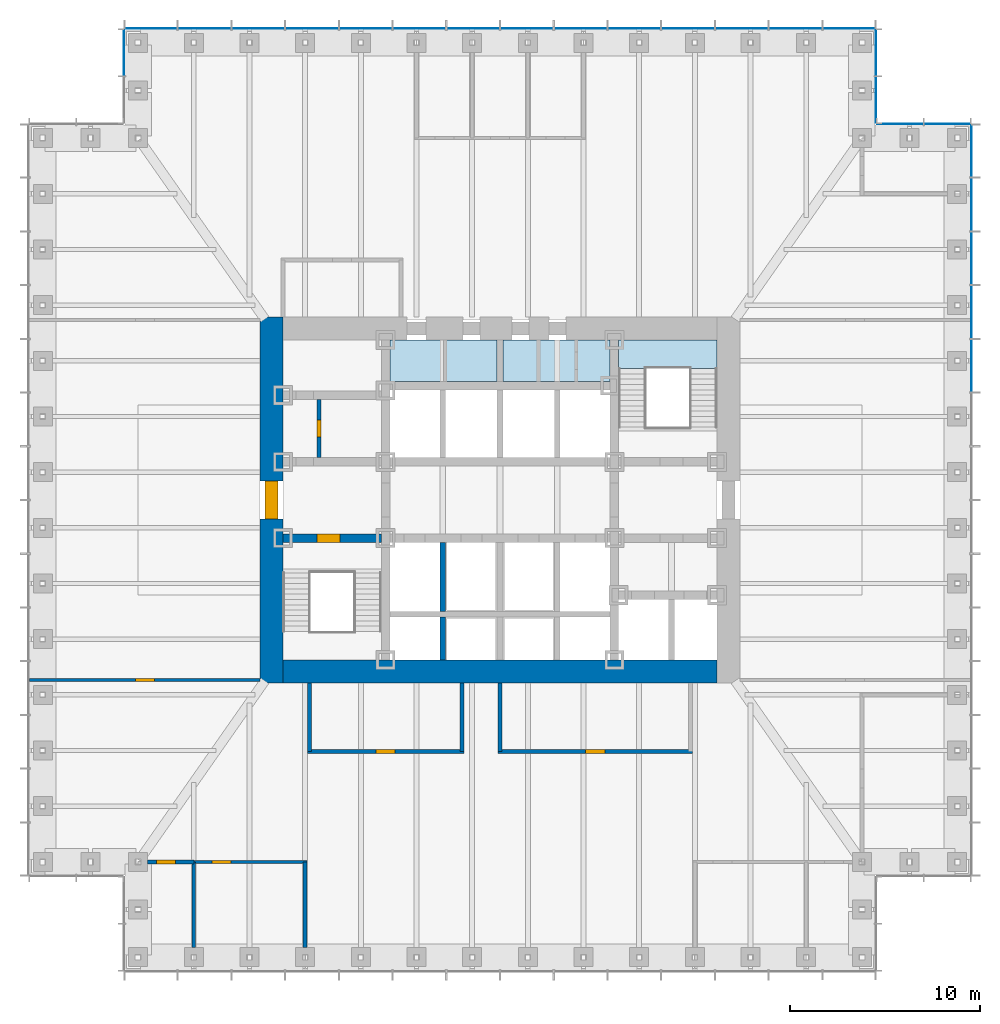
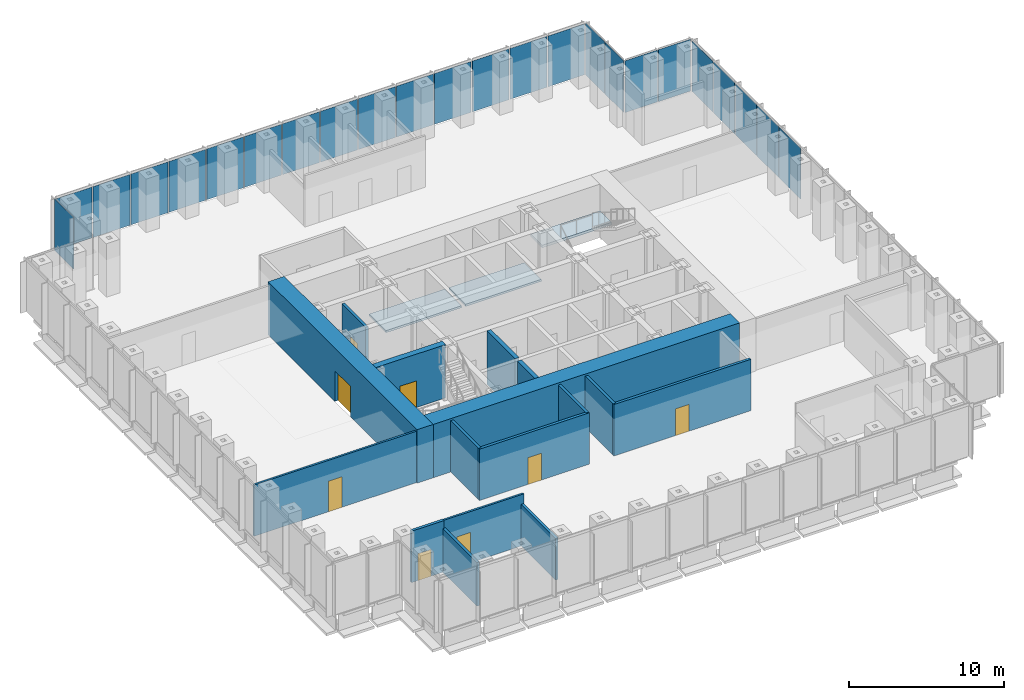
# One storey, part 8 of 16: 24 plates, 16 walls, 8 doors, 3 slabs, 8 openings, 6 elements without a shape of their own.
"""IFC4 building model written with IfcOpenShell, lengths in metres."""

import ifcopenshell
import ifcopenshell.guid

model = None  # the IFC model being written
_history = None  # IfcOwnerHistory: only IFC2X3 demands one
_inside = {}  # id of a spatial element -> (the spatial element, [elements in it])
_under = {}  # id of a project, library or spatial element -> (it, [spatial elements below it])
_declared = {}  # id of a project -> (the project, [libraries it declares])
_typed = {}  # id of a type object -> (the type object, [elements of that type])
_made_of = {}  # id of a material, layer set ... -> (it, [elements and type objects made of it])


def new_model(schema):
    """Start an empty IFC model of exactly this schema.

    Asked for "IFC4X3", IfcOpenShell would pick the latest addendum, in which some entities
    have other attributes; the version numbers below select the first issue.
    IFC2X3 requires an IfcOwnerHistory on every rooted entity: one is made here for all.
    """
    global model, _history
    if schema == "IFC4X3":
        model = ifcopenshell.file(schema_version=(4, 3, 0, 0))
    else:
        model = ifcopenshell.file(schema=schema)
    _inside.clear()
    _under.clear()
    _declared.clear()
    _typed.clear()
    _made_of.clear()
    _history = None
    if model.schema == "IFC2X3":
        org = make("IfcOrganization", Name="unknown")
        user = make(
            "IfcPersonAndOrganization",
            ThePerson=make("IfcPerson", FamilyName="unknown"),
            TheOrganization=org,
        )
        app = make(
            "IfcApplication",
            ApplicationDeveloper=org,
            Version="unknown",
            ApplicationFullName="unknown",
            ApplicationIdentifier="unknown",
        )
        _history = make(
            "IfcOwnerHistory",
            OwningUser=user,
            OwningApplication=app,
            ChangeAction="ADDED",
            CreationDate=0,
        )
    return model


def make(cls, **values):
    """One entity of the class cls with the attributes given. An attribute that is None is left unset."""
    return model.create_entity(
        cls, **{name: value for name, value in values.items() if value is not None}
    )


def rooted(cls, **values):
    """An entity with a GlobalId (a new one), such as an element, a storey or a relation."""
    return make(cls, GlobalId=ifcopenshell.guid.new(), OwnerHistory=_history, **values)


def si_unit(unit_type, name, prefix=None):
    """IfcSIUnit, for example si_unit("LENGTHUNIT", "METRE", prefix="MILLI")."""
    return make("IfcSIUnit", UnitType=unit_type, Prefix=prefix, Name=name)


def assignment(units):
    """IfcUnitAssignment: the units of a project."""
    return None if units is None else make("IfcUnitAssignment", Units=units)


def point(xyz):
    """IfcCartesianPoint."""
    return None if xyz is None else make("IfcCartesianPoint", Coordinates=xyz)


def direction(xyz):
    """IfcDirection."""
    return None if xyz is None else make("IfcDirection", DirectionRatios=xyz)


def frame(location, z_axis=None, x_axis=None):
    """IfcAxis2Placement3D, a coordinate frame: its origin and axes. An axis left out is left unset."""
    return make(
        "IfcAxis2Placement3D",
        Location=point(location),
        Axis=direction(z_axis),
        RefDirection=direction(x_axis),
    )


def frame_2d(location, x_axis=None):
    """IfcAxis2Placement2D, a coordinate frame in the plane: its origin and x axis."""
    return make(
        "IfcAxis2Placement2D", Location=point(location), RefDirection=direction(x_axis)
    )


def origin():
    """The frame at (0, 0, 0) with its axes left unset."""
    return frame((0.0, 0.0, 0.0))


def origin_2d():
    """The frame at (0, 0) in the plane with its x axis left unset."""
    return frame_2d((0.0, 0.0))


def place(relative_to, where):
    """IfcLocalPlacement: puts the frame where relative to a parent placement (None: the world)."""
    return make(
        "IfcLocalPlacement", PlacementRelTo=relative_to, RelativePlacement=where
    )


def context(
    kind, dimensions, precision=None, world=None, true_north=None, identifier=None
):
    """IfcGeometricRepresentationContext, for example the 3D "Model" context."""
    return make(
        "IfcGeometricRepresentationContext",
        ContextIdentifier=identifier,
        ContextType=kind,
        CoordinateSpaceDimension=dimensions,
        Precision=precision,
        WorldCoordinateSystem=world,
        TrueNorth=true_north,
    )


def subcontext(parent, identifier, kind, view, scale=None):
    """IfcGeometricRepresentationSubContext, for example "Body" below "Model"."""
    return make(
        "IfcGeometricRepresentationSubContext",
        ContextIdentifier=identifier,
        ContextType=kind,
        ParentContext=parent,
        TargetScale=scale,
        TargetView=view,
    )


def project(units=None, contexts=None):
    """IfcProject with its units and contexts."""
    return rooted(
        "IfcProject",
        Name="project",
        RepresentationContexts=contexts,
        UnitsInContext=assignment(units),
    )


def spatial(cls, under=None, at=None, **own):
    """A site, building, storey or space (cls), placed at a placement, below another one or the project."""
    s = rooted(cls, ObjectPlacement=at, **own)
    if under is not None:
        _under.setdefault(under.id(), (under, []))[1].append(s)
    return s


def polyline(points):
    """IfcPolyline through the points."""
    return make("IfcPolyline", Points=[point(p) for p in points])


def profile(cls, at=None, kind="AREA", **sizes):
    """A parametric profile (cls). Its sizes go by their IFC names, for example OverallWidth=200.0."""
    return make(cls, ProfileType=kind, Position=at, **sizes)


def rectangle(**sizes):
    """IfcRectangleProfileDef."""
    return profile("IfcRectangleProfileDef", **sizes)


def outline(outer, holes=None, kind="AREA"):
    """IfcArbitraryClosedProfileDef: a profile drawn as a closed curve; with holes, ...WithVoids."""
    if holes is None:
        return make("IfcArbitraryClosedProfileDef", ProfileType=kind, OuterCurve=outer)
    return make(
        "IfcArbitraryProfileDefWithVoids",
        ProfileType=kind,
        OuterCurve=outer,
        InnerCurves=holes,
    )


def extrude(swept, where, along, depth):
    """IfcExtrudedAreaSolid: the profile swept, set in the frame where, extruded along a direction by depth."""
    return make(
        "IfcExtrudedAreaSolid",
        SweptArea=swept,
        Position=where,
        ExtrudedDirection=direction(along),
        Depth=depth,
    )


def shape(context_of_items, identifier, shape_type, items):
    """IfcShapeRepresentation: the items that make up one representation, for example the "Body"."""
    return make(
        "IfcShapeRepresentation",
        ContextOfItems=context_of_items,
        RepresentationIdentifier=identifier,
        RepresentationType=shape_type,
        Items=items,
    )


def material(Name=None, Category=None):
    """IfcMaterial."""
    return make("IfcMaterial", Name=Name, Category=Category)


def layer(
    of_material, thickness, ventilated=None, Name=None, Category=None, Priority=None
):
    """IfcMaterialLayer: one layer of a wall or slab, of a material (None: an air gap)."""
    return make(
        "IfcMaterialLayer",
        Material=of_material,
        LayerThickness=thickness,
        IsVentilated=ventilated,
        Name=Name,
        Category=Category,
        Priority=Priority,
    )


def layer_set(layers, Name=None):
    """IfcMaterialLayerSet."""
    return make("IfcMaterialLayerSet", MaterialLayers=layers, LayerSetName=Name)


def made_of(thing, what):
    """Note that an element or type object is made of a material, layer set ...; save() writes the relation."""
    if what is not None:
        _made_of.setdefault(what.id(), (what, []))[1].append(thing)
    return thing


def type_object(cls, material=None, **own):
    """A type object (cls), such as IfcWallType, which elements share."""
    return made_of(rooted(cls, **own), material)


def element(
    cls,
    number,
    at=None,
    inside=None,
    cuts=None,
    type_object=None,
    material=None,
    context=None,
    identifier="Body",
    shape_type=None,
    held_by="IfcProductDefinitionShape",
    body=None,
    shapes=None,
    **own,
):
    """One element of the class cls, such as IfcWall. Its Tag is "e" and its number.

    at: its placement. inside: the storey or other place that contains it. cuts: it is an
    opening in that element (IfcRelVoidsElement). A single representation is given by context,
    identifier, shape_type and body (its items); several are given by shapes. held_by: the class
    of the entity that holds the representations. save() writes the other relations.
    """
    e = rooted(cls, Tag="e%d" % number, ObjectPlacement=at, **own)
    if body is not None:
        shapes = [shape(context, identifier, shape_type, body)]
    if shapes is not None:
        e.Representation = make(held_by, Representations=shapes)
    if inside is not None:
        _inside.setdefault(inside.id(), (inside, []))[1].append(e)
    if cuts is not None:
        rooted(
            "IfcRelVoidsElement", RelatingBuildingElement=cuts, RelatedOpeningElement=e
        )
    if type_object is not None:
        _typed.setdefault(type_object.id(), (type_object, []))[1].append(e)
    return made_of(e, material)


def fill(opening, filler):
    """IfcRelFillsElement: the door or window that sits in an opening."""
    return rooted(
        "IfcRelFillsElement",
        RelatingOpeningElement=opening,
        RelatedBuildingElement=filler,
    )


def aggregate(whole, parts):
    """IfcRelAggregates: a whole, such as a stair, and the parts it consists of."""
    return rooted("IfcRelAggregates", RelatingObject=whole, RelatedObjects=parts)


def save(model, path):
    """Write the relations noted so far, then the file.

    IfcRelAggregates (storeys below a building ...), IfcRelContainedInSpatialStructure (elements
    in a storey), IfcRelDefinesByType, IfcRelAssociatesMaterial and IfcRelDeclares: one each for
    every whole, place, type object, material and project.
    """
    for whole, parts in _under.values():
        aggregate(whole, parts)
    for where, things in _inside.values():
        rooted(
            "IfcRelContainedInSpatialStructure",
            RelatedElements=things,
            RelatingStructure=where,
        )
    for kind, things in _typed.values():
        rooted("IfcRelDefinesByType", RelatedObjects=things, RelatingType=kind)
    for what, things in _made_of.values():
        rooted("IfcRelAssociatesMaterial", RelatedObjects=things, RelatingMaterial=what)
    for by, libraries in _declared.values():
        rooted("IfcRelDeclares", RelatingContext=by, RelatedDefinitions=libraries)
    model.write(path)


model = new_model("IFC4")

# Units and contexts
model_context = context("Model", 3, precision=1e-05, world=origin(), true_north=direction((0.0, 1.0)))
body_context = subcontext(model_context, "Body", "Model", "MODEL_VIEW")
ifc_project = project(units=[si_unit("LENGTHUNIT", "METRE"), si_unit("AREAUNIT", "SQUARE_METRE"), si_unit("VOLUMEUNIT", "CUBIC_METRE"), si_unit("PLANEANGLEUNIT", "RADIAN"), si_unit("MASSUNIT", "GRAM", prefix="KILO")], contexts=[model_context])

# Site, building, storey
site_placement = place(None, origin())
site = spatial("IfcSite", under=ifc_project, at=site_placement, CompositionType="ELEMENT")
building_placement = place(site_placement, origin())
building = spatial("IfcBuilding", under=site, at=building_placement, Name="Daluyong Arena Tower", CompositionType="ELEMENT")
storey_placement = place(building_placement, frame((0.0, 0.0, 39.10009765625)))
storey = spatial("IfcBuildingStorey", under=building, at=storey_placement, Name="L07", CompositionType="ELEMENT", Elevation=39.10009765625)

# Curtain wall, plates
ifc_material_1 = material(Name="Bronze anodised aluminium and glass", Category="aluminium")
curtain_wall_type_1 = type_object("IfcCurtainWallType", Name="Curtain wall CW1", PredefinedType="USERDEFINED", material=ifc_material_1)
curtain_wall_1_placement = place(storey_placement, origin())
curtain_wall_1 = element("IfcCurtainWall", 1, at=curtain_wall_1_placement, inside=storey, type_object=curtain_wall_type_1, Name="curtain wall L07 E", ObjectType="UNITISED CURTAIN WALL", PredefinedType="USERDEFINED")
ifc_material_2 = material(Name="Tinted double glazed unit", Category="glass")
ifc_layer_1 = layer(ifc_material_2, 0.031982421875)
ifc_layer_set_1 = layer_set([ifc_layer_1], Name="Tinted double glazed unit")
plate_type_1 = type_object("IfcPlateType", Name="CW1 panel 32", PredefinedType="CURTAIN_PANEL", material=ifc_layer_set_1)
plate_1_placement = place(storey_placement, frame((80.75, 87.053466796875, 0.0), z_axis=(0.0, 0.0, 1.0), x_axis=(0.0, 1.0, 0.0)))
plate_1 = element("IfcPlate", 2, at=plate_1_placement, type_object=plate_type_1, Name="curtain wall L07 E panel 10", PredefinedType="CURTAIN_PANEL", context=body_context, shape_type="SweptSolid", body=[
    extrude(rectangle(XDim=2.741455078125, YDim=0.031982421875, at=origin_2d()), origin(), (0.0, 0.0, 1.0), 4.0),
])
plate_2_placement = place(storey_placement, frame((80.75, 89.875, 0.0), z_axis=(0.0, 0.0, 1.0), x_axis=(0.0, 1.0, 0.0)))
plate_2 = element("IfcPlate", 3, at=plate_2_placement, type_object=plate_type_1, Name="curtain wall L07 E panel 11", PredefinedType="CURTAIN_PANEL", context=body_context, shape_type="SweptSolid", body=[
    extrude(rectangle(XDim=2.741455078125, YDim=0.031982421875, at=origin_2d()), origin(), (0.0, 0.0, 1.0), 4.0),
])
plate_3_placement = place(storey_placement, frame((80.75, 92.696533203125, 0.0), z_axis=(0.0, 0.0, 1.0), x_axis=(0.0, 1.0, 0.0)))
plate_3 = element("IfcPlate", 4, at=plate_3_placement, type_object=plate_type_1, Name="curtain wall L07 E panel 12", PredefinedType="CURTAIN_PANEL", context=body_context, shape_type="SweptSolid", body=[
    extrude(rectangle(XDim=2.741455078125, YDim=0.031982421875, at=origin_2d()), origin(), (0.0, 0.0, 1.0), 4.0),
])
plate_4_placement = place(storey_placement, frame((80.75, 95.517822265625, 0.0), z_axis=(0.0, 0.0, 1.0), x_axis=(0.0, 1.0, 0.0)))
plate_4 = element("IfcPlate", 5, at=plate_4_placement, type_object=plate_type_1, Name="curtain wall L07 E panel 13", PredefinedType="CURTAIN_PANEL", context=body_context, shape_type="SweptSolid", body=[
    extrude(rectangle(XDim=2.741455078125, YDim=0.031982421875, at=origin_2d()), origin(), (0.0, 0.0, 1.0), 4.0),
])
plate_5_placement = place(storey_placement, frame((80.75, 98.3193359375, 0.0), z_axis=(0.0, 0.0, 1.0), x_axis=(0.0, 1.0, 0.0)))
plate_5 = element("IfcPlate", 6, at=plate_5_placement, type_object=plate_type_1, Name="curtain wall L07 E panel 14", PredefinedType="CURTAIN_PANEL", context=body_context, shape_type="SweptSolid", body=[
    extrude(rectangle(XDim=2.701416015625, YDim=0.031982421875, at=origin_2d()), origin(), (0.0, 0.0, 1.0), 4.0),
])
aggregate(curtain_wall_1, [plate_1, plate_2, plate_3, plate_4, plate_5])

curtain_wall_2_placement = place(storey_placement, origin())
curtain_wall_2 = element("IfcCurtainWall", 7, at=curtain_wall_2_placement, inside=storey, type_object=curtain_wall_type_1, Name="curtain wall L07 N", ObjectType="UNITISED CURTAIN WALL", PredefinedType="USERDEFINED")
plate_6_placement = place(storey_placement, frame((74.3193359375, 104.75, 0.0), z_axis=(0.0, 0.0, 1.0), x_axis=(-1.0, 0.0, 0.0)))
plate_6 = element("IfcPlate", 8, at=plate_6_placement, type_object=plate_type_1, Name="curtain wall L07 N panel 1", PredefinedType="CURTAIN_PANEL", context=body_context, shape_type="SweptSolid", body=[
    extrude(rectangle(XDim=2.701416015625, YDim=0.031982421875, at=origin_2d()), origin(), (0.0, 0.0, 1.0), 4.0),
])
plate_7_placement = place(storey_placement, frame((71.517822265625, 104.75, 0.0), z_axis=(0.0, 0.0, 1.0), x_axis=(-1.0, 0.0, 0.0)))
plate_7 = element("IfcPlate", 9, at=plate_7_placement, type_object=plate_type_1, Name="curtain wall L07 N panel 2", PredefinedType="CURTAIN_PANEL", context=body_context, shape_type="SweptSolid", body=[
    extrude(rectangle(XDim=2.741455078125, YDim=0.031982421875, at=origin_2d()), origin(), (0.0, 0.0, 1.0), 4.0),
])
plate_8_placement = place(storey_placement, frame((68.696533203125, 104.75, 0.0), z_axis=(0.0, 0.0, 1.0), x_axis=(-1.0, 0.0, 0.0)))
plate_8 = element("IfcPlate", 10, at=plate_8_placement, type_object=plate_type_1, Name="curtain wall L07 N panel 3", PredefinedType="CURTAIN_PANEL", context=body_context, shape_type="SweptSolid", body=[
    extrude(rectangle(XDim=2.741455078125, YDim=0.031982421875, at=origin_2d()), origin(), (0.0, 0.0, 1.0), 4.0),
])
plate_9_placement = place(storey_placement, frame((65.875, 104.75, 0.0), z_axis=(0.0, 0.0, 1.0), x_axis=(-1.0, 0.0, 0.0)))
plate_9 = element("IfcPlate", 11, at=plate_9_placement, type_object=plate_type_1, Name="curtain wall L07 N panel 4", PredefinedType="CURTAIN_PANEL", context=body_context, shape_type="SweptSolid", body=[
    extrude(rectangle(XDim=2.741455078125, YDim=0.031982421875, at=origin_2d()), origin(), (0.0, 0.0, 1.0), 4.0),
])
plate_10_placement = place(storey_placement, frame((63.053466796875, 104.75, 0.0), z_axis=(0.0, 0.0, 1.0), x_axis=(-1.0, 0.0, 0.0)))
plate_10 = element("IfcPlate", 12, at=plate_10_placement, type_object=plate_type_1, Name="curtain wall L07 N panel 5", PredefinedType="CURTAIN_PANEL", context=body_context, shape_type="SweptSolid", body=[
    extrude(rectangle(XDim=2.741455078125, YDim=0.031982421875, at=origin_2d()), origin(), (0.0, 0.0, 1.0), 4.0),
])
plate_11_placement = place(storey_placement, frame((60.232177734375, 104.75, 0.0), z_axis=(0.0, 0.0, 1.0), x_axis=(-1.0, 0.0, 0.0)))
plate_11 = element("IfcPlate", 13, at=plate_11_placement, type_object=plate_type_1, Name="curtain wall L07 N panel 6", PredefinedType="CURTAIN_PANEL", context=body_context, shape_type="SweptSolid", body=[
    extrude(rectangle(XDim=2.741455078125, YDim=0.031982421875, at=origin_2d()), origin(), (0.0, 0.0, 1.0), 4.0),
])
plate_12_placement = place(storey_placement, frame((57.41064453125, 104.75, 0.0), z_axis=(0.0, 0.0, 1.0), x_axis=(-1.0, 0.0, 0.0)))
plate_12 = element("IfcPlate", 14, at=plate_12_placement, type_object=plate_type_1, Name="curtain wall L07 N panel 7", PredefinedType="CURTAIN_PANEL", context=body_context, shape_type="SweptSolid", body=[
    extrude(rectangle(XDim=2.741455078125, YDim=0.031982421875, at=origin_2d()), origin(), (0.0, 0.0, 1.0), 4.0),
])
plate_13_placement = place(storey_placement, frame((54.58935546875, 104.75, 0.0), z_axis=(0.0, 0.0, 1.0), x_axis=(-1.0, 0.0, 0.0)))
plate_13 = element("IfcPlate", 15, at=plate_13_placement, type_object=plate_type_1, Name="curtain wall L07 N panel 8", PredefinedType="CURTAIN_PANEL", context=body_context, shape_type="SweptSolid", body=[
    extrude(rectangle(XDim=2.741455078125, YDim=0.031982421875, at=origin_2d()), origin(), (0.0, 0.0, 1.0), 4.0),
])
plate_14_placement = place(storey_placement, frame((51.767822265625, 104.75, 0.0), z_axis=(0.0, 0.0, 1.0), x_axis=(-1.0, 0.0, 0.0)))
plate_14 = element("IfcPlate", 16, at=plate_14_placement, type_object=plate_type_1, Name="curtain wall L07 N panel 9", PredefinedType="CURTAIN_PANEL", context=body_context, shape_type="SweptSolid", body=[
    extrude(rectangle(XDim=2.741455078125, YDim=0.031982421875, at=origin_2d()), origin(), (0.0, 0.0, 1.0), 4.0),
])
plate_15_placement = place(storey_placement, frame((48.946533203125, 104.75, 0.0), z_axis=(0.0, 0.0, 1.0), x_axis=(-1.0, 0.0, 0.0)))
plate_15 = element("IfcPlate", 17, at=plate_15_placement, type_object=plate_type_1, Name="curtain wall L07 N panel 10", PredefinedType="CURTAIN_PANEL", context=body_context, shape_type="SweptSolid", body=[
    extrude(rectangle(XDim=2.741455078125, YDim=0.031982421875, at=origin_2d()), origin(), (0.0, 0.0, 1.0), 4.0),
])
plate_16_placement = place(storey_placement, frame((46.125, 104.75, 0.0), z_axis=(0.0, 0.0, 1.0), x_axis=(-1.0, 0.0, 0.0)))
plate_16 = element("IfcPlate", 18, at=plate_16_placement, type_object=plate_type_1, Name="curtain wall L07 N panel 11", PredefinedType="CURTAIN_PANEL", context=body_context, shape_type="SweptSolid", body=[
    extrude(rectangle(XDim=2.741455078125, YDim=0.031982421875, at=origin_2d()), origin(), (0.0, 0.0, 1.0), 4.0),
])
plate_17_placement = place(storey_placement, frame((43.303466796875, 104.75, 0.0), z_axis=(0.0, 0.0, 1.0), x_axis=(-1.0, 0.0, 0.0)))
plate_17 = element("IfcPlate", 19, at=plate_17_placement, type_object=plate_type_1, Name="curtain wall L07 N panel 12", PredefinedType="CURTAIN_PANEL", context=body_context, shape_type="SweptSolid", body=[
    extrude(rectangle(XDim=2.741455078125, YDim=0.031982421875, at=origin_2d()), origin(), (0.0, 0.0, 1.0), 4.0),
])
plate_18_placement = place(storey_placement, frame((40.482177734375, 104.75, 0.0), z_axis=(0.0, 0.0, 1.0), x_axis=(-1.0, 0.0, 0.0)))
plate_18 = element("IfcPlate", 20, at=plate_18_placement, type_object=plate_type_1, Name="curtain wall L07 N panel 13", PredefinedType="CURTAIN_PANEL", context=body_context, shape_type="SweptSolid", body=[
    extrude(rectangle(XDim=2.741455078125, YDim=0.031982421875, at=origin_2d()), origin(), (0.0, 0.0, 1.0), 4.0),
])
plate_19_placement = place(storey_placement, frame((37.6806640625, 104.75, 0.0), z_axis=(0.0, 0.0, 1.0), x_axis=(-1.0, 0.0, 0.0)))
plate_19 = element("IfcPlate", 21, at=plate_19_placement, type_object=plate_type_1, Name="curtain wall L07 N panel 14", PredefinedType="CURTAIN_PANEL", context=body_context, shape_type="SweptSolid", body=[
    extrude(rectangle(XDim=2.701416015625, YDim=0.031982421875, at=origin_2d()), origin(), (0.0, 0.0, 1.0), 4.0),
])
aggregate(curtain_wall_2, [plate_6, plate_7, plate_8, plate_9, plate_10, plate_11, plate_12, plate_13, plate_14, plate_15, plate_16, plate_17, plate_18, plate_19])

ifc_material_3 = material(Name="Bronze anodised aluminium and glass", Category="aluminium")
curtain_wall_type_2 = type_object("IfcCurtainWallType", Name="Curtain wall CW7", PredefinedType="USERDEFINED", material=ifc_material_3)
curtain_wall_3_placement = place(storey_placement, origin())
curtain_wall_3 = element("IfcCurtainWall", 22, at=curtain_wall_3_placement, inside=storey, type_object=curtain_wall_type_2, Name="curtain wall L07 NE-N", ObjectType="UNITISED CURTAIN WALL", PredefinedType="USERDEFINED")
ifc_material_4 = material(Name="Tinted double glazed unit", Category="glass")
ifc_layer_2 = layer(ifc_material_4, 0.028076171875)
ifc_layer_set_2 = layer_set([ifc_layer_2], Name="Tinted double glazed unit")
plate_type_2 = type_object("IfcPlateType", Name="CW7 panel 28", PredefinedType="CURTAIN_PANEL", material=ifc_layer_set_2)
plate_20_placement = place(storey_placement, frame((79.485107421875, 99.75, -0.000244140625), z_axis=(0.0, 0.0, 1.0), x_axis=(-1.0, 0.0, 0.0)))
plate_20 = element("IfcPlate", 23, at=plate_20_placement, type_object=plate_type_2, Name="curtain wall L07 NE-N panel 1", PredefinedType="CURTAIN_PANEL", context=body_context, shape_type="SweptSolid", body=[
    extrude(rectangle(XDim=2.409912109375, YDim=0.028076171875, at=origin_2d()), origin(), (0.0, 0.0, 1.0), 4.080078125),
])
plate_21_placement = place(storey_placement, frame((77.014892578125, 99.75, -0.000244140625), z_axis=(0.0, 0.0, 1.0), x_axis=(-1.0, 0.0, 0.0)))
plate_21 = element("IfcPlate", 24, at=plate_21_placement, type_object=plate_type_2, Name="curtain wall L07 NE-N panel 2", PredefinedType="CURTAIN_PANEL", context=body_context, shape_type="SweptSolid", body=[
    extrude(rectangle(XDim=2.409912109375, YDim=0.028076171875, at=origin_2d()), origin(), (0.0, 0.0, 1.0), 4.080078125),
])
aggregate(curtain_wall_3, [plate_20, plate_21])

curtain_wall_4_placement = place(storey_placement, origin())
curtain_wall_4 = element("IfcCurtainWall", 25, at=curtain_wall_4_placement, inside=storey, type_object=curtain_wall_type_2, Name="curtain wall L07 NE-E", ObjectType="UNITISED CURTAIN WALL", PredefinedType="USERDEFINED")
plate_22_placement = place(storey_placement, frame((75.75, 101.014892578125, -0.000244140625), z_axis=(0.0, 0.0, 1.0), x_axis=(0.0, 1.0, 0.0)))
plate_22 = element("IfcPlate", 26, at=plate_22_placement, type_object=plate_type_2, Name="curtain wall L07 NE-E panel 1", PredefinedType="CURTAIN_PANEL", context=body_context, shape_type="SweptSolid", body=[
    extrude(rectangle(XDim=2.409912109375, YDim=0.028076171875, at=origin_2d()), origin(), (0.0, 0.0, 1.0), 4.080078125),
])
plate_23_placement = place(storey_placement, frame((75.75, 103.485107421875, -0.000244140625), z_axis=(0.0, 0.0, 1.0), x_axis=(0.0, 1.0, 0.0)))
plate_23 = element("IfcPlate", 27, at=plate_23_placement, type_object=plate_type_2, Name="curtain wall L07 NE-E panel 2", PredefinedType="CURTAIN_PANEL", context=body_context, shape_type="SweptSolid", body=[
    extrude(rectangle(XDim=2.409912109375, YDim=0.028076171875, at=origin_2d()), origin(), (0.0, 0.0, 1.0), 4.080078125),
])
aggregate(curtain_wall_4, [plate_22, plate_23])

# Curtain wall, plate
curtain_wall_5_placement = place(storey_placement, origin())
curtain_wall_5 = element("IfcCurtainWall", 28, at=curtain_wall_5_placement, inside=storey, type_object=curtain_wall_type_2, Name="curtain wall L07 NW-W", ObjectType="UNITISED CURTAIN WALL", PredefinedType="USERDEFINED")
plate_24_placement = place(storey_placement, frame((36.25, 103.485107421875, -0.000244140625), z_axis=(0.0, 0.0, 1.0), x_axis=(0.0, -1.0, 0.0)))
plate_24 = element("IfcPlate", 29, at=plate_24_placement, type_object=plate_type_2, Name="curtain wall L07 NW-W panel 1", PredefinedType="CURTAIN_PANEL", context=body_context, shape_type="SweptSolid", body=[
    extrude(rectangle(XDim=2.409912109375, YDim=0.028076171875, at=origin_2d()), origin(), (0.0, 0.0, 1.0), 4.080078125),
])
aggregate(curtain_wall_5, [plate_24])

# Stair, slab
ifc_material_5 = material(Name="Concrete fc' 35 MPa", Category="concrete")
stair_type = type_object("IfcStairType", Name="Core exit stair", PredefinedType="HALF_TURN_STAIR", material=ifc_material_5)
stair_placement = place(storey_placement, origin())
stair = element("IfcStair", 30, at=stair_placement, inside=storey, type_object=stair_type, Name="exit stair B L07", PredefinedType="HALF_TURN_STAIR")
ifc_material_6 = material(Name="Concrete fc' 35 MPa", Category="concrete")
ifc_layer_3 = layer(ifc_material_6, 0.199951171875)
ifc_layer_set_3 = layer_set([ifc_layer_3], Name="Concrete fc' 35 MPa")
slab_type_1 = type_object("IfcSlabType", Name="Stair landing 200", PredefinedType="LANDING", material=ifc_layer_set_3)
slab_1_placement = place(storey_placement, frame((0.0, 0.0, 1.89990234375)))
slab_1 = element("IfcSlab", 31, at=slab_1_placement, type_object=slab_type_1, Name="STB landing 1", PredefinedType="LANDING", context=body_context, shape_type="SweptSolid", body=[
    extrude(outline(polyline([(62.22509765625, 86.905029296875), (67.39990234375, 86.905029296875), (67.39990234375, 88.39990234375), (62.22509765625, 88.39990234375), (62.22509765625, 86.905029296875)])), origin(), (0.0, 0.0, 1.0), 0.199951171875),
])
aggregate(stair, [slab_1])

# Slabs
ifc_material_7 = material(Name="Concrete fc' 35 MPa", Category="concrete")
ifc_layer_4 = layer(ifc_material_7, 0.159912109375)
ifc_layer_set_4 = layer_set([ifc_layer_4], Name="Concrete fc' 35 MPa")
slab_type_2 = type_object("IfcSlabType", Name="Tower floor slab 160", PredefinedType="FLOOR", material=ifc_layer_set_4)
slab_2_placement = place(storey_placement, frame((0.0, 0.0, -0.16015625)))
element("IfcSlab", 32, at=slab_2_placement, inside=storey, type_object=slab_type_2, Name="floor L07 part 5", PredefinedType="FLOOR", context=body_context, shape_type="SweptSolid", body=[
    extrude(outline(polyline([(50.22509765625, 88.39990234375), (50.22509765625, 86.22509765625), (55.85009765625, 86.22509765625), (55.85009765625, 88.39990234375), (50.22509765625, 88.39990234375)])), origin(), (0.0, 0.0, 1.0), 0.16015625),
])
slab_3_placement = place(storey_placement, frame((0.0, 0.0, -0.16015625)))
element("IfcSlab", 33, at=slab_3_placement, inside=storey, type_object=slab_type_2, Name="floor L07 part 12", PredefinedType="FLOOR", context=body_context, shape_type="SweptSolid", body=[
    extrude(outline(polyline([(56.14990234375, 86.22509765625), (61.77490234375, 86.22509765625), (61.77490234375, 88.39990234375), (56.14990234375, 88.39990234375), (56.14990234375, 86.22509765625)])), origin(), (0.0, 0.0, 1.0), 0.16015625),
])

# Wall, opening, door
ifc_material_8 = material(Name="Concrete fc' 45 MPa", Category="concrete")
ifc_layer_5 = layer(ifc_material_8, 0.449951171875)
ifc_layer_set_5 = layer_set([ifc_layer_5], Name="Concrete fc' 45 MPa")
wall_type_1 = type_object("IfcWallType", Name="Core inner wall 450", PredefinedType="SHEAR", material=ifc_layer_set_5)
wall_1_placement = place(storey_placement, frame((44.60009765625, 78.0, 0.0), z_axis=(0.0, 0.0, 1.0), x_axis=(1.0, 0.0, 0.0)))
wall_1 = element("IfcWall", 34, at=wall_1_placement, inside=storey, type_object=wall_type_1, Name="core inner wall at L07", PredefinedType="SHEAR", context=body_context, shape_type="SweptSolid", body=[
    extrude(rectangle(XDim=5.1748046875, YDim=0.449951171875, at=frame_2d((2.58740234375, 0.0))), origin(), (0.0, 0.0, 1.0), 4.199951171875),
])
opening_1_placement = place(wall_1_placement, frame((1.800048828125, 0.0, 0.0)))
opening_1 = element("IfcOpeningElement", 35, at=opening_1_placement, cuts=wall_1, Name="Opening 07009", PredefinedType="OPENING", context=body_context, shape_type="SweptSolid", body=[
    extrude(rectangle(XDim=1.199951171875, YDim=2.10009765625, at=frame_2d((0.60009765625, 1.050048828125))), frame((0.0, 0.23486328125, 0.0), z_axis=(0.0, -1.0, 0.0), x_axis=(1.0, 0.0, 0.0)), (0.0, 0.0, 1.0), 0.469970703125),
])
ifc_material_9 = material(Name="Steel door, fire rated", Category="steel")
door_type_1 = type_object("IfcDoorType", Name="Stair door 1200", OperationType="SINGLE_SWING_LEFT", PredefinedType="DOOR", material=ifc_material_9)
door_1_placement = place(opening_1_placement, origin())
door_1 = element("IfcDoor", 36, at=door_1_placement, inside=storey, type_object=door_type_1, Name="stair A door 07009", OperationType="SINGLE_SWING_LEFT", OverallHeight=2.10009765625, OverallWidth=1.199951171875, PredefinedType="DOOR", context=body_context, shape_type="SweptSolid", body=[
    extrude(rectangle(XDim=1.199951171875, YDim=2.10009765625, at=frame_2d((0.60009765625, 1.050048828125))), frame((0.0, 0.224609375, 0.0), z_axis=(0.0, -1.0, 0.0), x_axis=(1.0, 0.0, 0.0)), (0.0, 0.0, 1.0), 0.449462890625),
])
fill(opening_1, door_1)

ifc_material_10 = material(Name="Concrete fc' 60 MPa", Category="concrete")
ifc_layer_6 = layer(ifc_material_10, 1.199951171875)
ifc_layer_set_6 = layer_set([ifc_layer_6], Name="Concrete fc' 60 MPa")
wall_type_2 = type_object("IfcWallType", Name="Core wall 1200", PredefinedType="SHEAR", material=ifc_layer_set_6)
wall_2_placement = place(storey_placement, frame((44.0, 70.39990234375, 0.0), z_axis=(0.0, 0.0, 1.0), x_axis=(0.0, 1.0, 0.0)))
wall_2 = element("IfcWall", 37, at=wall_2_placement, inside=storey, type_object=wall_type_2, Name="core wall at L07", PredefinedType="SHEAR", context=body_context, shape_type="SweptSolid", body=[
    extrude(rectangle(XDim=19.2001953125, YDim=1.199951171875, at=frame_2d((9.60009765625, 0.0))), origin(), (0.0, 0.0, 1.0), 4.199951171875),
])
opening_2_placement = place(wall_2_placement, frame((8.60009765625, 0.0, 0.0)))
opening_2 = element("IfcOpeningElement", 38, at=opening_2_placement, cuts=wall_2, Name="Opening 07011", PredefinedType="OPENING", context=body_context, shape_type="SweptSolid", body=[
    extrude(rectangle(XDim=2.0, YDim=2.39990234375, at=frame_2d((1.0, 1.199951171875))), frame((0.0, 0.60986328125, 0.0), z_axis=(0.0, -1.0, 0.0), x_axis=(1.0, 0.0, 0.0)), (0.0, 0.0, 1.0), 1.219970703125),
])
ifc_material_11 = material(Name="Steel door, fire rated", Category="steel")
door_type_2 = type_object("IfcDoorType", Name="Core lobby double door 2000", OperationType="DOUBLE_DOOR_SINGLE_SWING", PredefinedType="DOOR", material=ifc_material_11)
door_2_placement = place(opening_2_placement, origin())
door_2 = element("IfcDoor", 39, at=door_2_placement, inside=storey, type_object=door_type_2, Name="core lobby door west 07011", OperationType="DOUBLE_DOOR_SINGLE_SWING", OverallHeight=2.39990234375, OverallWidth=2.0, PredefinedType="DOOR", context=body_context, shape_type="SweptSolid", body=[
    extrude(rectangle(XDim=2.0, YDim=2.39990234375, at=frame_2d((1.0, 1.199951171875))), frame((0.0, 0.35009765625, 0.0), z_axis=(0.0, -1.0, 0.0), x_axis=(1.0, 0.0, 0.0)), (0.0, 0.0, 1.0), 0.699951171875),
])
fill(opening_2, door_2)

# Wall
wall_3_placement = place(storey_placement, frame((44.60009765625, 71.0, 0.0), z_axis=(0.0, 0.0, 1.0), x_axis=(1.0, 0.0, 0.0)))
element("IfcWall", 40, at=wall_3_placement, inside=storey, type_object=wall_type_2, Name="core wall at L07", PredefinedType="SHEAR", context=body_context, shape_type="SweptSolid", body=[
    extrude(rectangle(XDim=22.7998046875, YDim=1.199951171875, at=frame_2d((11.39990234375, 0.0))), origin(), (0.0, 0.0, 1.0), 4.199951171875),
])

# Wall, opening, door
ifc_material_12 = material(Name="Concrete block partition, fire rated", Category="concrete")
ifc_layer_7 = layer(ifc_material_12, 0.199951171875)
ifc_layer_set_7 = layer_set([ifc_layer_7], Name="Concrete block partition, fire rated")
wall_type_3 = type_object("IfcWallType", Name="Fire-rated partition 200", PredefinedType="PARTITIONING", material=ifc_layer_set_7)
wall_4_placement = place(storey_placement, frame((46.5, 82.22509765625, 0.0), z_axis=(0.0, 0.0, 1.0), x_axis=(0.0, 1.0, 0.0)))
wall_4 = element("IfcWall", 41, at=wall_4_placement, inside=storey, type_object=wall_type_3, Name="toilet lobby partition at L07", PredefinedType="PARTITIONING", context=body_context, shape_type="SweptSolid", body=[
    extrude(rectangle(XDim=3.0498046875, YDim=0.199951171875, at=frame_2d((1.52490234375, 0.0))), origin(), (0.0, 0.0, 1.0), 4.039794921875),
])
opening_3_placement = place(wall_4_placement, frame((1.074951171875, 0.0, 0.0)))
opening_3 = element("IfcOpeningElement", 42, at=opening_3_placement, cuts=wall_4, Name="Opening 07002", PredefinedType="OPENING", context=body_context, shape_type="SweptSolid", body=[
    extrude(rectangle(XDim=0.89990234375, YDim=2.10009765625, at=frame_2d((0.449951171875, 1.050048828125))), frame((0.0, 0.10986328125, 0.0), z_axis=(0.0, -1.0, 0.0), x_axis=(1.0, 0.0, 0.0)), (0.0, 0.0, 1.0), 0.219970703125),
])
ifc_material_13 = material(Name="Timber door", Category="wood")
door_type_3 = type_object("IfcDoorType", Name="Toilet door 900", OperationType="SINGLE_SWING_RIGHT", PredefinedType="DOOR", material=ifc_material_13)
door_3_placement = place(opening_3_placement, origin())
door_3 = element("IfcDoor", 43, at=door_3_placement, inside=storey, type_object=door_type_3, Name="male toilet door 07002", OperationType="SINGLE_SWING_RIGHT", OverallHeight=2.10009765625, OverallWidth=0.89990234375, PredefinedType="DOOR", context=body_context, shape_type="SweptSolid", body=[
    extrude(rectangle(XDim=0.89990234375, YDim=2.10009765625, at=frame_2d((0.449951171875, 1.050048828125))), frame((0.0, 0.099609375, 0.0), z_axis=(0.0, -1.0, 0.0), x_axis=(1.0, 0.0, 0.0)), (0.0, 0.0, 1.0), 0.199462890625),
])
fill(opening_3, door_3)

ifc_material_14 = material(Name="Glazed aluminium partition", Category="aluminium")
ifc_layer_8 = layer(ifc_material_14, 0.14990234375)
ifc_layer_set_8 = layer_set([ifc_layer_8], Name="Glazed aluminium partition")
wall_type_4 = type_object("IfcWallType", Name="Glazed partition 150", PredefinedType="PARTITIONING", material=ifc_layer_set_8)
wall_5_placement = place(storey_placement, frame((39.923095703125, 61.0, 0.0), z_axis=(0.0, 0.0, 1.0), x_axis=(1.0, 0.0, 0.0)))
wall_5 = element("IfcWall", 44, at=wall_5_placement, inside=storey, type_object=wall_type_4, Name="glazed partition at L07", PredefinedType="PARTITIONING", context=body_context, shape_type="SweptSolid", body=[
    extrude(rectangle(XDim=5.946044921875, YDim=0.14990234375, at=frame_2d((2.97314453125, 0.0))), origin(), (0.0, 0.0, 1.0), 4.039794921875),
])
opening_4_placement = place(wall_5_placement, frame((0.96142578125, 0.0, 0.0)))
opening_4 = element("IfcOpeningElement", 45, at=opening_4_placement, cuts=wall_5, Name="Opening 07023", PredefinedType="OPENING", context=body_context, shape_type="SweptSolid", body=[
    extrude(rectangle(XDim=1.0, YDim=2.39990234375, at=frame_2d((0.5, 1.199951171875))), frame((0.0, 0.0849609375, 0.0), z_axis=(0.0, -1.0, 0.0), x_axis=(1.0, 0.0, 0.0)), (0.0, 0.0, 1.0), 0.169921875),
])
ifc_material_15 = material(Name="Glazed aluminium door", Category="aluminium")
door_type_4 = type_object("IfcDoorType", Name="Meeting room glazed door 1000", OperationType="SINGLE_SWING_RIGHT", PredefinedType="DOOR", material=ifc_material_15)
door_4_placement = place(opening_4_placement, origin())
door_4 = element("IfcDoor", 46, at=door_4_placement, inside=storey, type_object=door_type_4, Name="meeting room door 07023", OperationType="SINGLE_SWING_RIGHT", OverallHeight=2.39990234375, OverallWidth=1.0, PredefinedType="DOOR", context=body_context, shape_type="SweptSolid", body=[
    extrude(rectangle(XDim=1.0, YDim=2.39990234375, at=frame_2d((0.5, 1.199951171875))), frame((0.0, 0.07470703125, 0.0), z_axis=(0.0, -1.0, 0.0), x_axis=(1.0, 0.0, 0.0)), (0.0, 0.0, 1.0), 0.1494140625),
])
fill(opening_4, door_4)

wall_6_placement = place(storey_placement, frame((31.31005859375, 70.550048828125, 0.0), z_axis=(0.0, 0.0, 1.0), x_axis=(1.0, 0.0, 0.0)))
wall_6 = element("IfcWall", 47, at=wall_6_placement, inside=storey, type_object=wall_type_4, Name="glazed partition at L07", PredefinedType="PARTITIONING", context=body_context, shape_type="SweptSolid", body=[
    extrude(rectangle(XDim=12.08984375, YDim=0.14990234375, at=frame_2d((6.044921875, 0.0))), origin(), (0.0, 0.0, 1.0), 4.039794921875),
])
opening_5_placement = place(wall_6_placement, frame((5.544921875, 0.0, 0.0)))
opening_5 = element("IfcOpeningElement", 48, at=opening_5_placement, cuts=wall_6, Name="Opening 07034", PredefinedType="OPENING", context=body_context, shape_type="SweptSolid", body=[
    extrude(rectangle(XDim=1.0, YDim=2.39990234375, at=frame_2d((0.5, 1.199951171875))), frame((0.0, 0.0849609375, 0.0), z_axis=(0.0, -1.0, 0.0), x_axis=(1.0, 0.0, 0.0)), (0.0, 0.0, 1.0), 0.169921875),
])
door_5_placement = place(opening_5_placement, origin())
door_5 = element("IfcDoor", 49, at=door_5_placement, inside=storey, type_object=door_type_4, Name="team area screen door 07034", OperationType="SINGLE_SWING_RIGHT", OverallHeight=2.39990234375, OverallWidth=1.0, PredefinedType="DOOR", context=body_context, shape_type="SweptSolid", body=[
    extrude(rectangle(XDim=1.0, YDim=2.39990234375, at=frame_2d((0.5, 1.199951171875))), frame((0.0, 0.07470703125, 0.0), z_axis=(0.0, -1.0, 0.0), x_axis=(1.0, 0.0, 0.0)), (0.0, 0.0, 1.0), 0.1494140625),
])
fill(opening_5, door_5)

# Walls
ifc_material_16 = material(Name="Concrete fc' 45 MPa", Category="concrete")
ifc_layer_9 = layer(ifc_material_16, 0.300048828125)
ifc_layer_set_9 = layer_set([ifc_layer_9], Name="Concrete fc' 45 MPa")
wall_type_5 = type_object("IfcWallType", Name="Lift shaft wall 300", PredefinedType="SHEAR", material=ifc_layer_set_9)
wall_7_placement = place(storey_placement, frame((53.0, 71.60009765625, 0.0), z_axis=(0.0, 0.0, 1.0), x_axis=(0.0, 1.0, 0.0)))
element("IfcWall", 50, at=wall_7_placement, inside=storey, type_object=wall_type_5, Name="lift shaft wall at L07", PredefinedType="SHEAR", context=body_context, shape_type="SweptSolid", body=[
    extrude(rectangle(XDim=2.25, YDim=0.300048828125, at=frame_2d((1.125, 0.0))), origin(), (0.0, 0.0, 1.0), 4.199951171875),
])
wall_8_placement = place(storey_placement, frame((53.0, 74.14990234375, 0.0), z_axis=(0.0, 0.0, 1.0), x_axis=(0.0, 1.0, 0.0)))
element("IfcWall", 51, at=wall_8_placement, inside=storey, type_object=wall_type_5, Name="lift shaft wall at L07", PredefinedType="SHEAR", context=body_context, shape_type="SweptSolid", body=[
    extrude(rectangle(XDim=3.625, YDim=0.300048828125, at=frame_2d((1.8125, 0.0))), origin(), (0.0, 0.0, 1.0), 4.199951171875),
])
ifc_material_17 = material(Name="Concrete block partition", Category="concrete")
ifc_layer_10 = layer(ifc_material_17, 0.199951171875)
ifc_layer_set_10 = layer_set([ifc_layer_10], Name="Concrete block partition")
wall_type_6 = type_object("IfcWallType", Name="Partition 200", PredefinedType="PARTITIONING", material=ifc_layer_set_10)
wall_9_placement = place(storey_placement, frame((39.923095703125, 56.5, 0.0), z_axis=(0.0, 0.0, 1.0), x_axis=(0.0, 1.0, 0.0)))
element("IfcWall", 52, at=wall_9_placement, inside=storey, type_object=wall_type_6, Name="partition at L07", PredefinedType="PARTITIONING", context=body_context, shape_type="SweptSolid", body=[
    extrude(rectangle(XDim=4.5, YDim=0.199951171875, at=frame_2d((2.25, 0.0))), origin(), (0.0, 0.0, 1.0), 3.427734375),
])
wall_10_placement = place(storey_placement, frame((45.769287109375, 56.5, 0.0), z_axis=(0.0, 0.0, 1.0), x_axis=(0.0, 1.0, 0.0)))
element("IfcWall", 53, at=wall_10_placement, inside=storey, type_object=wall_type_6, Name="partition at L07", PredefinedType="PARTITIONING", context=body_context, shape_type="SweptSolid", body=[
    extrude(rectangle(XDim=4.5, YDim=0.199951171875, at=frame_2d((2.25, 0.0))), origin(), (0.0, 0.0, 1.0), 3.27783203125),
])
for number, where, z_axis, x_axis, name in (
    (54, (46.0, 66.800048828125, 0.0), (0.0, 0.0, 1.0), (0.0, 1.0, 0.0), "partition at L07"),
    (55, (54.0, 66.800048828125, 0.0), (0.0, 0.0, 1.0), (0.0, 1.0, 0.0), "partition at L07"),
    (56, (56.0, 66.800048828125, 0.0), (0.0, 0.0, 1.0), (0.0, 1.0, 0.0), "partition at L07"),
):
    element("IfcWall", number, at=place(storey_placement, frame(where, z_axis=z_axis, x_axis=x_axis)), inside=storey, type_object=wall_type_6, Name=name, PredefinedType="PARTITIONING", context=body_context, shape_type="SweptSolid", body=[
        extrude(rectangle(XDim=3.599853515625, YDim=0.199951171875, at=frame_2d((1.7998046875, 0.0))), origin(), (0.0, 0.0, 1.0), 4.039794921875),
    ])

# Wall, opening, door
wall_11_placement = place(storey_placement, frame((37.5, 61.0, 0.0), z_axis=(0.0, 0.0, 1.0), x_axis=(1.0, 0.0, 0.0)))
wall_11 = element("IfcWall", 57, at=wall_11_placement, inside=storey, type_object=wall_type_6, Name="partition at L07", PredefinedType="PARTITIONING", context=body_context, shape_type="SweptSolid", body=[
    extrude(rectangle(XDim=2.423095703125, YDim=0.199951171875, at=frame_2d((1.21142578125, 0.0))), origin(), (0.0, 0.0, 1.0), 4.039794921875),
])
opening_6_placement = place(wall_11_placement, frame((0.46142578125, 0.0, 0.0)))
opening_6 = element("IfcOpeningElement", 58, at=opening_6_placement, cuts=wall_11, Name="Opening 07022", PredefinedType="OPENING", context=body_context, shape_type="SweptSolid", body=[
    extrude(rectangle(XDim=1.0, YDim=2.10009765625, at=frame_2d((0.5, 1.050048828125))), frame((0.0, 0.10986328125, 0.0), z_axis=(0.0, -1.0, 0.0), x_axis=(1.0, 0.0, 0.0)), (0.0, 0.0, 1.0), 0.219970703125),
])
ifc_material_18 = material(Name="Timber door", Category="wood")
door_type_5 = type_object("IfcDoorType", Name="Room door 1000", OperationType="SINGLE_SWING_LEFT", PredefinedType="DOOR", material=ifc_material_18)
door_6_placement = place(opening_6_placement, origin())
door_6 = element("IfcDoor", 59, at=door_6_placement, inside=storey, type_object=door_type_5, Name="quiet room door 07022", OperationType="SINGLE_SWING_LEFT", OverallHeight=2.10009765625, OverallWidth=1.0, PredefinedType="DOOR", context=body_context, shape_type="SweptSolid", body=[
    extrude(rectangle(XDim=1.0, YDim=2.10009765625, at=frame_2d((0.5, 1.050048828125))), frame((0.0, 0.099609375, 0.0), z_axis=(0.0, -1.0, 0.0), x_axis=(1.0, 0.0, 0.0)), (0.0, 0.0, 1.0), 0.199462890625),
])
fill(opening_6, door_6)

wall_12_placement = place(storey_placement, frame((45.89990234375, 66.800048828125, 0.0), z_axis=(0.0, 0.0, 1.0), x_axis=(1.0, 0.0, 0.0)))
wall_12 = element("IfcWall", 60, at=wall_12_placement, inside=storey, type_object=wall_type_6, Name="partition at L07", PredefinedType="PARTITIONING", context=body_context, shape_type="SweptSolid", body=[
    extrude(rectangle(XDim=8.2001953125, YDim=0.199951171875, at=frame_2d((4.10009765625, 0.0))), origin(), (0.0, 0.0, 1.0), 4.039794921875),
])
opening_7_placement = place(wall_12_placement, frame((3.60009765625, 0.0, 0.0)))
opening_7 = element("IfcOpeningElement", 61, at=opening_7_placement, cuts=wall_12, Name="Opening 07031", PredefinedType="OPENING", context=body_context, shape_type="SweptSolid", body=[
    extrude(rectangle(XDim=1.0, YDim=2.10009765625, at=frame_2d((0.5, 1.050048828125))), frame((0.0, 0.10986328125, 0.0), z_axis=(0.0, -1.0, 0.0), x_axis=(1.0, 0.0, 0.0)), (0.0, 0.0, 1.0), 0.219970703125),
])
door_7_placement = place(opening_7_placement, origin())
door_7 = element("IfcDoor", 62, at=door_7_placement, inside=storey, type_object=door_type_5, Name="pantry door 07031", OperationType="SINGLE_SWING_LEFT", OverallHeight=2.10009765625, OverallWidth=1.0, PredefinedType="DOOR", context=body_context, shape_type="SweptSolid", body=[
    extrude(rectangle(XDim=1.0, YDim=2.10009765625, at=frame_2d((0.5, 1.050048828125))), frame((0.0, 0.099609375, 0.0), z_axis=(0.0, -1.0, 0.0), x_axis=(1.0, 0.0, 0.0)), (0.0, 0.0, 1.0), 0.199462890625),
])
fill(opening_7, door_7)

wall_13_placement = place(storey_placement, frame((55.89990234375, 66.800048828125, 0.0), z_axis=(0.0, 0.0, 1.0), x_axis=(1.0, 0.0, 0.0)))
wall_13 = element("IfcWall", 63, at=wall_13_placement, inside=storey, type_object=wall_type_6, Name="partition at L07", PredefinedType="PARTITIONING", context=body_context, shape_type="SweptSolid", body=[
    extrude(rectangle(XDim=10.2001953125, YDim=0.199951171875, at=frame_2d((5.10009765625, 0.0))), origin(), (0.0, 0.0, 1.0), 4.039794921875),
])
opening_8_placement = place(wall_13_placement, frame((4.60009765625, 0.0, 0.0)))
opening_8 = element("IfcOpeningElement", 64, at=opening_8_placement, cuts=wall_13, Name="Opening 07032", PredefinedType="OPENING", context=body_context, shape_type="SweptSolid", body=[
    extrude(rectangle(XDim=1.0, YDim=2.10009765625, at=frame_2d((0.5, 1.050048828125))), frame((0.0, 0.10986328125, 0.0), z_axis=(0.0, -1.0, 0.0), x_axis=(1.0, 0.0, 0.0)), (0.0, 0.0, 1.0), 0.219970703125),
])
door_8_placement = place(opening_8_placement, origin())
door_8 = element("IfcDoor", 65, at=door_8_placement, inside=storey, type_object=door_type_5, Name="locker room door 07032", OperationType="SINGLE_SWING_LEFT", OverallHeight=2.10009765625, OverallWidth=1.0, PredefinedType="DOOR", context=body_context, shape_type="SweptSolid", body=[
    extrude(rectangle(XDim=1.0, YDim=2.10009765625, at=frame_2d((0.5, 1.050048828125))), frame((0.0, 0.099609375, 0.0), z_axis=(0.0, -1.0, 0.0), x_axis=(1.0, 0.0, 0.0)), (0.0, 0.0, 1.0), 0.199462890625),
])
fill(opening_8, door_8)

save(model, "model.ifc")
